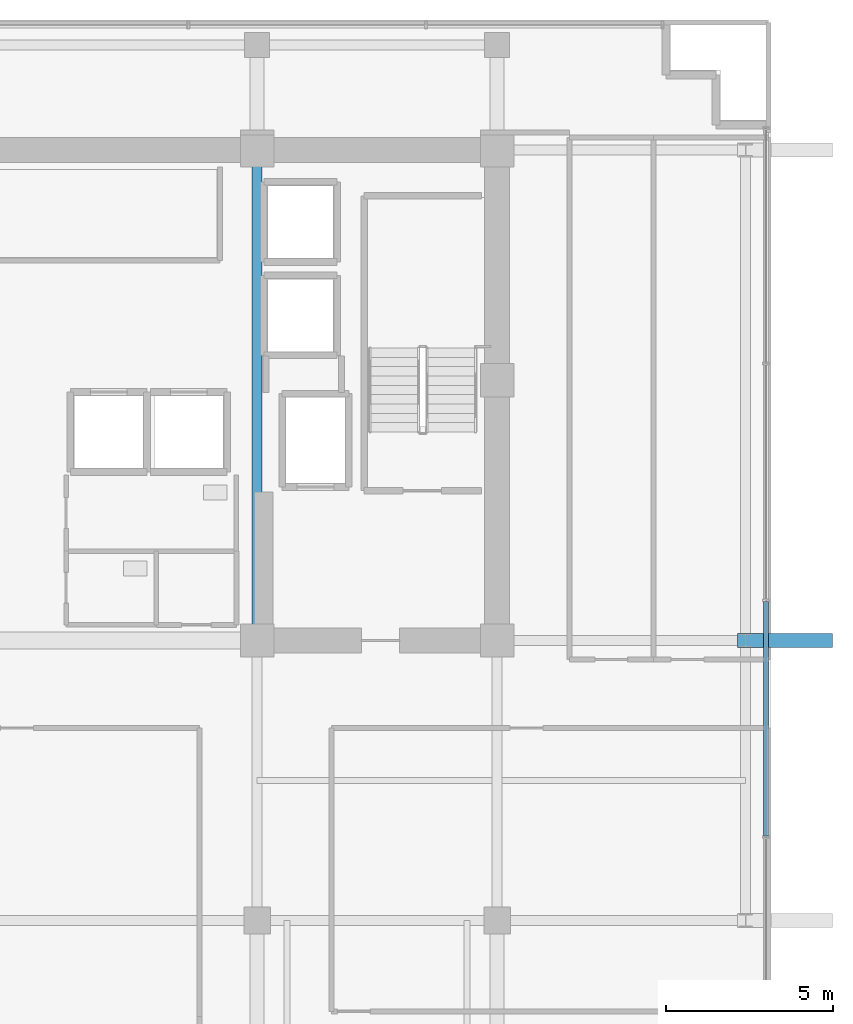
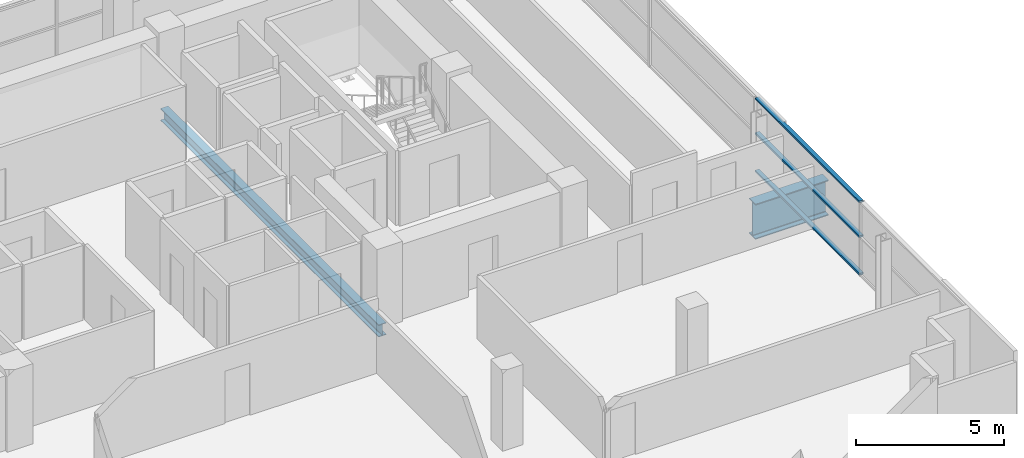
# One storey, part 8 of 23: 3 members, 2 beams, 1 element without a shape of its own.
"""IFC4 building model written with IfcOpenShell, lengths in metres."""

from ifc_helpers import new_model, si_unit, direction, frame, origin, origin_2d, place, context, subcontext, project, spatial, hollow_rectangle, i_section, extrude, source, transform, mapped, material, layer, layer_set, material_profile, profile_set, type_object, element, aggregate, save


model = new_model("IFC4")

# Units and contexts
model_context = context("Model", 3, precision=1e-05, world=origin(), true_north=direction((0.0, 1.0)))
body_context = subcontext(model_context, "Body", "Model", "MODEL_VIEW")
ifc_project = project(units=[si_unit("LENGTHUNIT", "METRE"), si_unit("AREAUNIT", "SQUARE_METRE"), si_unit("VOLUMEUNIT", "CUBIC_METRE"), si_unit("PLANEANGLEUNIT", "RADIAN"), si_unit("MASSUNIT", "GRAM", prefix="KILO")], contexts=[model_context])

# Site, building, storey
site_placement = place(None, origin())
site = spatial("IfcSite", under=ifc_project, at=site_placement, CompositionType="ELEMENT")
building_placement = place(site_placement, origin())
building = spatial("IfcBuilding", under=site, at=building_placement, Name="Zarnakvel Exchange Tower", CompositionType="ELEMENT")
storey_placement = place(building_placement, frame((0.0, 0.0, 146.199951171875)))
storey = spatial("IfcBuildingStorey", under=building, at=storey_placement, Name="L40", CompositionType="ELEMENT", Elevation=146.199951171875)

# Beams
ifc_material_1 = material(Name="Steel S355", Category="steel")
ifc_material_profile_1 = material_profile(ifc_material_1, i_section(OverallWidth=0.300048828125, OverallDepth=0.5, WebThickness=0.014404296875, FlangeThickness=0.028076171875, FilletRadius=0.027099609375, at=origin_2d()))
ifc_profile_set_1 = profile_set([ifc_material_profile_1], Name="Steel S355")
beam_type_1 = type_object("IfcBeamType", Name="G-06", PredefinedType="BEAM", material=ifc_profile_set_1)
beam_1_placement = place(storey_placement, frame((7.199951171875, -1.199951171875, -0.474853515625), z_axis=(0.0, 1.0, 0.0), x_axis=(-1.0, 0.0, 0.0)))
element("IfcBeam", 1, at=beam_1_placement, inside=storey, type_object=beam_type_1, Name="L40 Tower N-S Frame Beam", PredefinedType="BEAM", context=body_context, shape_type="SweptSolid", body=[
    extrude(i_section(OverallWidth=0.300048828125, OverallDepth=0.5, WebThickness=0.014404296875, FlangeThickness=0.028076171875, FilletRadius=0.027099609375, at=origin_2d()), origin(), (0.0, 0.0, 1.0), 14.699951171875),
])
ifc_material_2 = material(Name="Steel S460", Category="steel")
ifc_material_profile_2 = material_profile(ifc_material_2, i_section(OverallWidth=0.419921875, OverallDepth=1.449951171875, WebThickness=0.02392578125, FlangeThickness=0.0400390625, FilletRadius=0.030029296875, at=origin_2d()))
ifc_profile_set_2 = profile_set([ifc_material_profile_2], Name="Steel S460")
beam_type_2 = type_object("IfcBeamType", Name="TG-01", PredefinedType="BEAM", material=ifc_profile_set_2)
beam_2_placement = place(storey_placement, frame((21.60009765625, -1.199951171875, -0.949951171875), z_axis=(1.0, 0.0, 0.0), x_axis=(0.0, 1.0, 0.0)))
element("IfcBeam", 2, at=beam_2_placement, inside=storey, type_object=beam_type_2, Name="L40 Setback E-W Transfer Girder TE-D", PredefinedType="BEAM", context=body_context, shape_type="SweptSolid", body=[
    extrude(i_section(OverallWidth=0.419921875, OverallDepth=1.449951171875, WebThickness=0.02392578125, FlangeThickness=0.0400390625, FilletRadius=0.030029296875, at=origin_2d()), origin(), (0.0, 0.0, 1.0), 2.849853515625),
])

# Curtain wall, members
ifc_material_3 = material(Name="Architectural Bronze Anodised Aluminium", Category="aluminium")
ifc_layer = layer(ifc_material_3, 0.199951171875)
ifc_layer_set = layer_set([ifc_layer], Name="Architectural Bronze Anodised Aluminium")
curtain_wall_type = type_object("IfcCurtainWallType", Name="CW-04", PredefinedType="NOTDEFINED", material=ifc_layer_set)
curtain_wall_placement = place(storey_placement, origin())
curtain_wall = element("IfcCurtainWall", 3, at=curtain_wall_placement, inside=storey, type_object=curtain_wall_type, Name="L40 Curtain Wall CW-L40-E1 (CW-04)", PredefinedType="NOTDEFINED")
ifc_material_profile_3 = material_profile(ifc_material_3, hollow_rectangle(XDim=0.159912109375, YDim=0.074951171875, WallThickness=0.00390625, at=origin_2d()))
ifc_profile_set_3 = profile_set([ifc_material_profile_3], Name="Architectural Bronze Anodised Aluminium")
member_type = type_object("IfcMemberType", Name="CWT-04", PredefinedType="USERDEFINED", material=ifc_profile_set_3)
shared_shape = source(origin(), body_context, "Body", "SweptSolid", [
    extrude(hollow_rectangle(XDim=0.159912109375, YDim=0.074951171875, WallThickness=0.00390625, at=origin_2d()), origin(), (0.0, 0.0, 1.0), 7.02490234375),
])
member_1_placement = place(storey_placement, frame((22.4599609375, -7.0625, 0.03759765625), z_axis=(0.0, 1.0, 0.0), x_axis=(-1.0, 0.0, 0.0)))
member_1 = element("IfcMember", 4, at=member_1_placement, type_object=member_type, Name="CW-04 transom 2.1", ObjectType="TRANSOM", PredefinedType="USERDEFINED", context=body_context, shape_type="MappedRepresentation", body=[
    mapped(shared_shape, transform((0.0, 0.0, 0.0), x_axis=(1.0, 0.0, 0.0), y_axis=(0.0, 1.0, 0.0), z_axis=(0.0, 0.0, 1.0), scale=1.0)),
])
member_2_placement = place(storey_placement, frame((22.4599609375, -7.0625, 1.588623046875), z_axis=(0.0, 1.0, 0.0), x_axis=(-1.0, 0.0, 0.0)))
member_2 = element("IfcMember", 5, at=member_2_placement, type_object=member_type, Name="CW-04 transom 2.2", ObjectType="TRANSOM", PredefinedType="USERDEFINED", context=body_context, shape_type="MappedRepresentation", body=[
    mapped(shared_shape, transform((0.0, 0.0, 0.0), x_axis=(1.0, 0.0, 0.0), y_axis=(0.0, 1.0, 0.0), z_axis=(0.0, 0.0, 1.0), scale=1.0)),
])
member_3_placement = place(storey_placement, frame((22.4599609375, -7.0625, 3.017578125), z_axis=(0.0, 1.0, 0.0), x_axis=(-1.0, 0.0, 0.0)))
member_3 = element("IfcMember", 6, at=member_3_placement, type_object=member_type, Name="CW-04 transom 2.3", ObjectType="TRANSOM", PredefinedType="USERDEFINED", context=body_context, shape_type="MappedRepresentation", body=[
    mapped(shared_shape, transform((0.0, 0.0, 0.0), x_axis=(1.0, 0.0, 0.0), y_axis=(0.0, 1.0, 0.0), z_axis=(0.0, 0.0, 1.0), scale=1.0)),
])
aggregate(curtain_wall, [member_1, member_2, member_3])

save(model, "model.ifc")
